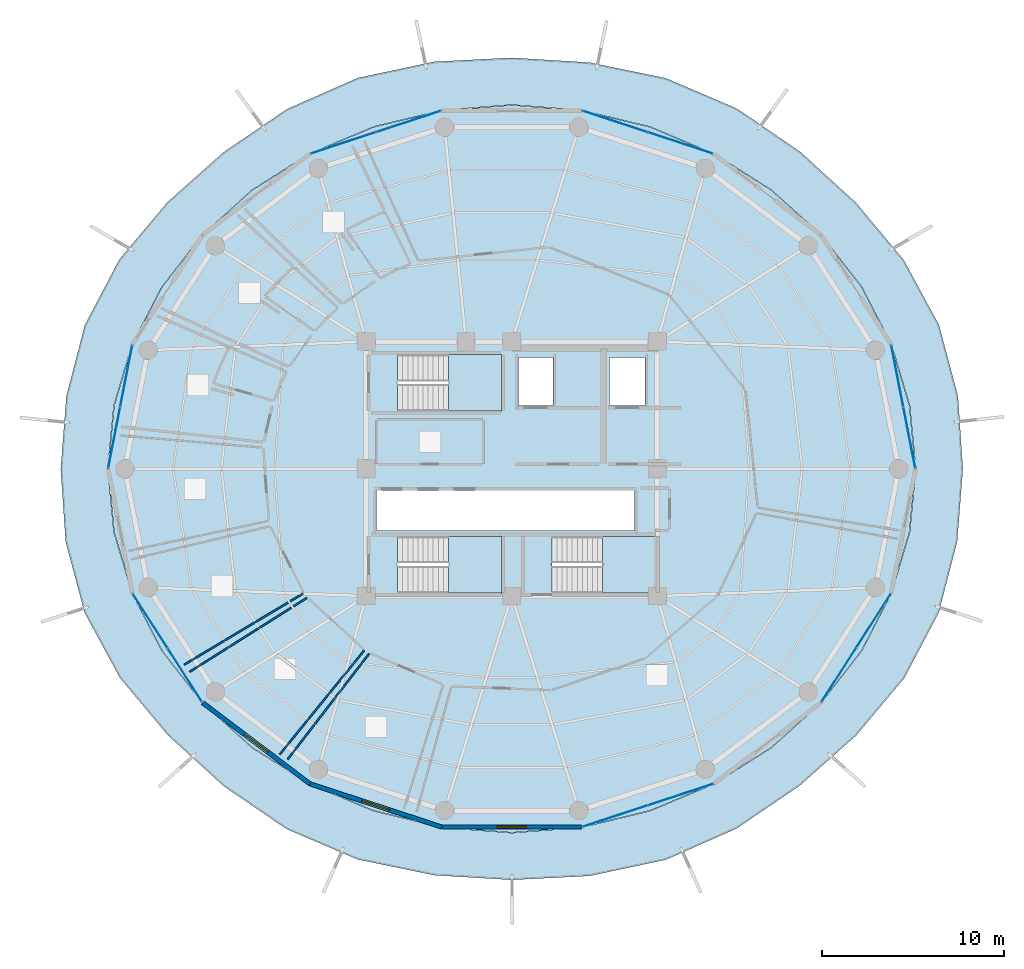
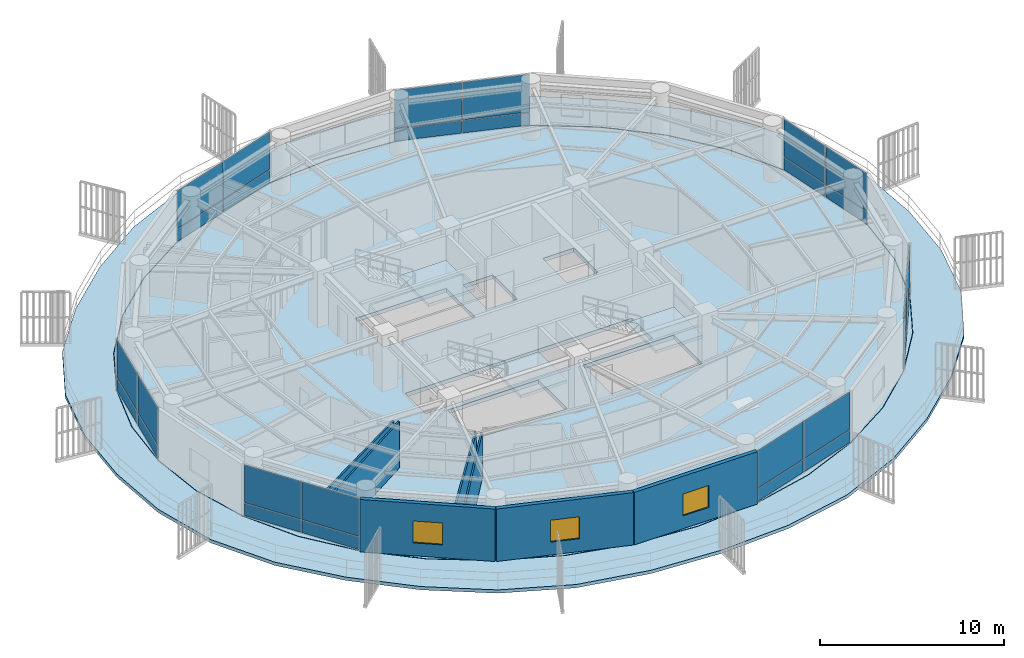
# One storey, part 23 of 31: 28 plates, 7 walls, 5 slabs, 3 windows, 3 openings, 10 elements without a shape of their own.
"""IFC4 building model written with IfcOpenShell, lengths in metres."""

from ifc_helpers import new_model, si_unit, direction, frame, frame_2d, origin, origin_2d, place, context, subcontext, project, spatial, polyline, rectangle, outline, extrude, source, transform, mapped, material, layer, layer_set, type_object, element, fill, aggregate, save


model = new_model("IFC4")

# Units and contexts
model_context = context("Model", 3, precision=1e-05, world=origin(), true_north=direction((0.0, 1.0)))
body_context = subcontext(model_context, "Body", "Model", "MODEL_VIEW")
ifc_project = project(units=[si_unit("LENGTHUNIT", "METRE"), si_unit("AREAUNIT", "SQUARE_METRE"), si_unit("VOLUMEUNIT", "CUBIC_METRE"), si_unit("PLANEANGLEUNIT", "RADIAN"), si_unit("MASSUNIT", "GRAM", prefix="KILO")], contexts=[model_context])

# Site, building, storey
site_placement = place(None, origin())
site = spatial("IfcSite", under=ifc_project, at=site_placement, CompositionType="ELEMENT")
building_placement = place(site_placement, origin())
building = spatial("IfcBuilding", under=site, at=building_placement, Name="Kelanora Arch Commons", CompositionType="ELEMENT")
storey_placement = place(building_placement, frame((0.0, 0.0, 223.199951171875)))
storey = spatial("IfcBuildingStorey", under=building, at=storey_placement, Name="L57", CompositionType="ELEMENT", Elevation=223.199951171875)

# Stair, slab
ifc_material_1 = material(Name="Concrete C40/50", Category="concrete")
stair_type = type_object("IfcStairType", Name="STR-DL-375", PredefinedType="HALF_TURN_STAIR", material=ifc_material_1)
stair_1_placement = place(storey_placement, origin())
stair_1 = element("IfcStair", 1, at=stair_1_placement, inside=storey, type_object=stair_type, Name="L57 ST-T1", PredefinedType="HALF_TURN_STAIR")
ifc_layer_1 = layer(ifc_material_1, 0.199951171875)
ifc_layer_set_1 = layer_set([ifc_layer_1], Name="Concrete C40/50")
slab_type_1 = type_object("IfcSlabType", Name="SLB-STAIR-LND", PredefinedType="LANDING", material=ifc_layer_set_1)
slab_1_placement = place(storey_placement, frame((0.0, 0.0, 1.675048828125)))
slab_1 = element("IfcSlab", 2, at=slab_1_placement, type_object=slab_type_1, Name="ST-T1 landing 1", PredefinedType="LANDING", context=body_context, shape_type="SweptSolid", body=[
    extrude(outline(polyline([(70.52001953125, 61.179931640625), (73.43994140625, 61.179931640625), (73.43994140625, 64.2900390625), (70.52001953125, 64.2900390625), (70.52001953125, 61.179931640625)])), origin(), (0.0, 0.0, 1.0), 0.199951171875),
])
aggregate(stair_1, [slab_1])

stair_2_placement = place(storey_placement, origin())
stair_2 = element("IfcStair", 3, at=stair_2_placement, inside=storey, type_object=stair_type, Name="L57 ST-T2", PredefinedType="HALF_TURN_STAIR")
slab_2_placement = place(storey_placement, frame((0.0, 0.0, 1.675048828125)))
slab_2 = element("IfcSlab", 4, at=slab_2_placement, type_object=slab_type_1, Name="ST-T2 landing 1", PredefinedType="LANDING", context=body_context, shape_type="SweptSolid", body=[
    extrude(outline(polyline([(79.0, 51.179931640625), (81.919921875, 51.179931640625), (81.919921875, 54.2900390625), (79.0, 54.2900390625), (79.0, 51.179931640625)])), origin(), (0.0, 0.0, 1.0), 0.199951171875),
])
aggregate(stair_2, [slab_2])

stair_3_placement = place(storey_placement, origin())
stair_3 = element("IfcStair", 5, at=stair_3_placement, inside=storey, type_object=stair_type, Name="L57 ST-T3", PredefinedType="HALF_TURN_STAIR")
slab_3_placement = place(storey_placement, frame((0.0, 0.0, 1.675048828125)))
slab_3 = element("IfcSlab", 6, at=slab_3_placement, type_object=slab_type_1, Name="ST-T3 landing 1", PredefinedType="LANDING", context=body_context, shape_type="SweptSolid", body=[
    extrude(outline(polyline([(70.52001953125, 51.179931640625), (73.43994140625, 51.179931640625), (73.43994140625, 54.2900390625), (70.52001953125, 54.2900390625), (70.52001953125, 51.179931640625)])), origin(), (0.0, 0.0, 1.0), 0.199951171875),
])
aggregate(stair_3, [slab_3])

# Slabs
ifc_layer_2 = layer(ifc_material_1, 0.260009765625)
ifc_layer_set_2 = layer_set([ifc_layer_2], Name="Concrete C40/50")
slab_type_2 = type_object("IfcSlabType", Name="SLB-TWR-TYP", PredefinedType="FLOOR", material=ifc_layer_set_2)
slab_4_placement = place(storey_placement, frame((0.0, 0.0, -0.260009765625)))
element("IfcSlab", 7, at=slab_4_placement, inside=storey, type_object=slab_type_2, Name="Tower Floor Slab L57", PredefinedType="FLOOR", context=body_context, shape_type="SweptSolid", body=[
    extrude(outline(polyline([(96.199951171875, 58.0), (95.86279296875, 61.472900390625), (94.861083984375, 64.84033203125), (93.225830078125, 68.0), (91.006103515625, 70.855712890625), (88.27001953125, 73.32080078125), (85.10009765625, 75.320556640625), (81.5927734375, 76.7939453125), (77.85498046875, 77.6962890625), (74.0, 78.0), (70.14501953125, 77.6962890625), (66.4072265625, 76.7939453125), (62.89990234375, 75.320556640625), (59.72998046875, 73.32080078125), (56.993896484375, 70.855712890625), (54.774169921875, 68.0), (53.138916015625, 64.84033203125), (52.13720703125, 61.472900390625), (51.800048828125, 58.0), (52.13720703125, 54.527099609375), (53.138916015625, 51.15966796875), (54.774169921875, 48.0), (56.993896484375, 45.144287109375), (59.72998046875, 42.67919921875), (62.89990234375, 40.679443359375), (66.4072265625, 39.2060546875), (70.14501953125, 38.3037109375), (74.0, 38.0), (77.85498046875, 38.3037109375), (81.5927734375, 39.2060546875), (85.10009765625, 40.679443359375), (88.27001953125, 42.67919921875), (91.006103515625, 45.144287109375), (93.225830078125, 48.0), (94.861083984375, 51.15966796875), (95.86279296875, 54.527099609375), (96.199951171875, 58.0)]), holes=[polyline([(73.431884765625, 51.18798828125), (67.72802734375, 51.18798828125), (67.72802734375, 54.281982421875), (73.431884765625, 54.281982421875), (73.431884765625, 51.18798828125)]), polyline([(76.2080078125, 51.18798828125), (76.2080078125, 54.281982421875), (81.912109375, 54.281982421875), (81.912109375, 51.18798828125), (76.2080078125, 51.18798828125)]), polyline([(66.550048828125, 54.60009765625), (66.550048828125, 56.800048828125), (80.75, 56.800048828125), (80.75, 54.60009765625), (66.550048828125, 54.60009765625)]), polyline([(73.431884765625, 61.18798828125), (67.72802734375, 61.18798828125), (67.72802734375, 64.281982421875), (73.431884765625, 64.281982421875), (73.431884765625, 61.18798828125)]), polyline([(74.3798828125, 61.47998046875), (74.3798828125, 64.1201171875), (76.260009765625, 64.1201171875), (76.260009765625, 61.47998046875), (74.3798828125, 61.47998046875)]), polyline([(79.3798828125, 61.47998046875), (79.3798828125, 64.1201171875), (81.320068359375, 64.1201171875), (81.320068359375, 61.47998046875), (79.3798828125, 61.47998046875)])]), origin(), (0.0, 0.0, 1.0), 0.260009765625),
])
ifc_layer_3 = layer(ifc_material_1, 0.219970703125)
ifc_layer_set_3 = layer_set([ifc_layer_3], Name="Concrete C40/50")
slab_type_3 = type_object("IfcSlabType", Name="SLB-WAVE-BAL", PredefinedType="FLOOR", material=ifc_layer_set_3)
slab_5_placement = place(storey_placement, frame((0.0, 0.0, -0.219970703125)))
element("IfcSlab", 8, at=slab_5_placement, inside=storey, type_object=slab_type_3, Name="Sinusoidal Wave Balcony Slab L57", PredefinedType="FLOOR", context=body_context, shape_type="SweptSolid", body=[
    extrude(outline(polyline([(98.80419921875, 58.0), (98.534423828125, 61.995849609375), (97.494873046875, 65.904296875), (95.552490234375, 69.490966796875), (92.92236328125, 72.640380859375), (89.864990234375, 75.430908203125), (86.391845703125, 77.80419921875), (82.473388671875, 79.4794921875), (78.275634765625, 80.34423828125), (74.0, 80.604248046875), (69.718017578125, 80.384765625), (65.522216796875, 79.492919921875), (61.624755859375, 77.772216796875), (58.151123046875, 75.40966796875), (55.05810546875, 72.65869140625), (52.417236328125, 69.510498046875), (50.518310546875, 65.899169921875), (49.505859375, 61.988037109375), (49.19580078125, 58.0), (49.465576171875, 54.004150390625), (50.505126953125, 50.095703125), (52.447509765625, 46.509033203125), (55.07763671875, 43.359619140625), (58.135009765625, 40.569091796875), (61.608154296875, 38.19580078125), (65.526611328125, 36.5205078125), (69.724365234375, 35.65576171875), (74.0, 35.395751953125), (78.281982421875, 35.615234375), (82.477783203125, 36.507080078125), (86.375244140625, 38.227783203125), (89.848876953125, 40.59033203125), (92.94189453125, 43.34130859375), (95.582763671875, 46.489501953125), (97.481689453125, 50.100830078125), (98.494140625, 54.011962890625), (98.80419921875, 58.0)]), holes=[polyline([(95.88232421875, 54.523681640625), (94.8798828125, 51.15283203125), (93.2431640625, 47.989990234375), (91.021484375, 45.13134765625), (88.28271484375, 42.663818359375), (85.110107421875, 40.662109375), (81.599609375, 39.1875), (77.8583984375, 38.2841796875), (74.0, 37.97998046875), (70.1416015625, 38.2841796875), (66.400390625, 39.1875), (62.889892578125, 40.662109375), (59.71728515625, 42.663818359375), (56.978515625, 45.13134765625), (54.7568359375, 47.989990234375), (53.1201171875, 51.15283203125), (52.11767578125, 54.523681640625), (51.780029296875, 58.0), (52.11767578125, 61.476318359375), (53.1201171875, 64.84716796875), (54.7568359375, 68.010009765625), (56.978515625, 70.86865234375), (59.71728515625, 73.336181640625), (62.889892578125, 75.337890625), (66.400390625, 76.8125), (70.1416015625, 77.7158203125), (74.0, 78.02001953125), (77.8583984375, 77.7158203125), (81.599609375, 76.8125), (85.110107421875, 75.337890625), (88.28271484375, 73.336181640625), (91.021484375, 70.86865234375), (93.2431640625, 68.010009765625), (94.8798828125, 64.84716796875), (95.88232421875, 61.476318359375), (96.219970703125, 58.0), (95.88232421875, 54.523681640625)])]), origin(), (0.0, 0.0, 1.0), 0.219970703125),
])

# Curtain wall, plates
ifc_material_2 = material(Name="Terracotta ceramic-fritted low-E glass and aluminium", Category="masonry")
ifc_layer_4 = layer(ifc_material_2, 0.175048828125)
ifc_layer_set_4 = layer_set([ifc_layer_4], Name="Terracotta ceramic-fritted low-E glass and aluminium")
curtain_wall_type = type_object("IfcCurtainWallType", Name="CW-SYS-02", PredefinedType="NOTDEFINED", material=ifc_layer_set_4)
curtain_wall_1_placement = place(storey_placement, origin())
curtain_wall_1 = element("IfcCurtainWall", 9, at=curtain_wall_1_placement, inside=storey, type_object=curtain_wall_type, Name="Unitised Curtain Wall L57-B00", PredefinedType="NOTDEFINED")
ifc_material_3 = material(Name="Terracotta ceramic-fritted double glazing", Category="masonry")
ifc_layer_5 = layer(ifc_material_3, 0.028076171875)
ifc_layer_set_5 = layer_set([ifc_layer_5], Name="Terracotta ceramic-fritted double glazing")
plate_type = type_object("IfcPlateType", Name="CWP-FRIT", PredefinedType="CURTAIN_PANEL", material=ifc_layer_set_5)
shared_shape_1 = source(origin(), body_context, "Body", "SweptSolid", [
    extrude(rectangle(XDim=3.380126953125, YDim=0.028076171875, at=origin_2d()), origin(), (0.0, 0.0, 1.0), 0.81005859375),
])
plate_1_placement = place(storey_placement, frame((95.861083984375, 59.732177734375, 0.06005859375), z_axis=(0.0, 0.0, 1.0), x_axis=(-0.192068926335, 0.981381438349, 0.0)))
plate_1 = element("IfcPlate", 10, at=plate_1_placement, type_object=plate_type, Name="CW-02 panel 1.1", PredefinedType="CURTAIN_PANEL", context=body_context, shape_type="MappedRepresentation", body=[
    mapped(shared_shape_1, transform((0.0, 0.0, 0.0), scale=1.0)),
])
plate_2_placement = place(storey_placement, frame((95.2001953125, 63.108154296875, 0.06005859375), z_axis=(0.0, 0.0, 1.0), x_axis=(-0.192068926335, 0.981381438349, 0.0)))
plate_2 = element("IfcPlate", 11, at=plate_2_placement, type_object=plate_type, Name="CW-02 panel 2.1", PredefinedType="CURTAIN_PANEL", context=body_context, shape_type="MappedRepresentation", body=[
    mapped(shared_shape_1, transform((0.0, 0.0, 0.0), scale=1.0)),
])

curtain_wall_2_placement = place(storey_placement, origin())
curtain_wall_2 = element("IfcCurtainWall", 12, at=curtain_wall_2_placement, inside=storey, type_object=curtain_wall_type, Name="Unitised Curtain Wall L57-B08", PredefinedType="NOTDEFINED")
plate_3_placement = place(storey_placement, frame((52.7998046875, 63.108154296875, 0.06005859375), z_axis=(0.0, 0.0, 1.0), x_axis=(-0.192068926335, -0.981381438349, 0.0)))
plate_3 = element("IfcPlate", 13, at=plate_3_placement, type_object=plate_type, Name="CW-02 panel 1.1", PredefinedType="CURTAIN_PANEL", context=body_context, shape_type="MappedRepresentation", body=[
    mapped(shared_shape_1, transform((0.0, 0.0, 0.0), scale=1.0)),
])
plate_4_placement = place(storey_placement, frame((52.138916015625, 59.732177734375, 0.06005859375), z_axis=(0.0, 0.0, 1.0), x_axis=(-0.192068926335, -0.981381438349, 0.0)))
plate_4 = element("IfcPlate", 14, at=plate_4_placement, type_object=plate_type, Name="CW-02 panel 2.1", PredefinedType="CURTAIN_PANEL", context=body_context, shape_type="MappedRepresentation", body=[
    mapped(shared_shape_1, transform((0.0, 0.0, 0.0), scale=1.0)),
])

# Plate
shared_shape_2 = source(origin(), body_context, "Body", "SweptSolid", [
    extrude(rectangle(XDim=3.380126953125, YDim=0.028076171875, at=origin_2d()), origin(), (0.0, 0.0, 1.0), 2.485107421875),
])
plate_5_placement = place(storey_placement, frame((95.861083984375, 59.732177734375, 0.93017578125), z_axis=(0.0, 0.0, 1.0), x_axis=(-0.192068926335, 0.981381438349, 0.0)))
plate_5 = element("IfcPlate", 15, at=plate_5_placement, type_object=plate_type, Name="CW-02 panel 1.2", PredefinedType="CURTAIN_PANEL", context=body_context, shape_type="MappedRepresentation", body=[
    mapped(shared_shape_2, transform((0.0, 0.0, 0.0), scale=1.0)),
])

plate_6_placement = place(storey_placement, frame((95.2001953125, 63.108154296875, 0.93017578125), z_axis=(0.0, 0.0, 1.0), x_axis=(-0.192068926335, 0.981381438349, 0.0)))
plate_6 = element("IfcPlate", 16, at=plate_6_placement, type_object=plate_type, Name="CW-02 panel 2.2", PredefinedType="CURTAIN_PANEL", context=body_context, shape_type="MappedRepresentation", body=[
    mapped(shared_shape_2, transform((0.0, 0.0, 0.0), scale=1.0)),
])

aggregate(curtain_wall_1, [plate_1, plate_5, plate_2, plate_6])

plate_7_placement = place(storey_placement, frame((52.7998046875, 63.108154296875, 0.93017578125), z_axis=(0.0, 0.0, 1.0), x_axis=(-0.192068926335, -0.981381438349, 0.0)))
plate_7 = element("IfcPlate", 17, at=plate_7_placement, type_object=plate_type, Name="CW-02 panel 1.2", PredefinedType="CURTAIN_PANEL", context=body_context, shape_type="MappedRepresentation", body=[
    mapped(shared_shape_2, transform((0.0, 0.0, 0.0), scale=1.0)),
])

plate_8_placement = place(storey_placement, frame((52.138916015625, 59.732177734375, 0.93017578125), z_axis=(0.0, 0.0, 1.0), x_axis=(-0.192068926335, -0.981381438349, 0.0)))
plate_8 = element("IfcPlate", 18, at=plate_8_placement, type_object=plate_type, Name="CW-02 panel 2.2", PredefinedType="CURTAIN_PANEL", context=body_context, shape_type="MappedRepresentation", body=[
    mapped(shared_shape_2, transform((0.0, 0.0, 0.0), scale=1.0)),
])

aggregate(curtain_wall_2, [plate_3, plate_7, plate_4, plate_8])

# Curtain wall, plates
curtain_wall_3_placement = place(storey_placement, origin())
curtain_wall_3 = element("IfcCurtainWall", 19, at=curtain_wall_3_placement, inside=storey, type_object=curtain_wall_type, Name="Unitised Curtain Wall L57-B03", PredefinedType="NOTDEFINED")
shared_shape_3 = source(origin(), body_context, "Body", "SweptSolid", [
    extrude(rectangle(XDim=3.707275390625, YDim=0.028076171875, at=origin_2d()), origin(), (0.0, 0.0, 1.0), 0.81005859375),
])
plate_9_placement = place(storey_placement, frame((83.267333984375, 75.92138671875, 0.06005859375), z_axis=(0.0, 0.0, 1.0), x_axis=(-0.950219124029, 0.311582439059, 0.0)))
plate_9 = element("IfcPlate", 20, at=plate_9_placement, type_object=plate_type, Name="CW-02 panel 1.1", PredefinedType="CURTAIN_PANEL", context=body_context, shape_type="MappedRepresentation", body=[
    mapped(shared_shape_3, transform((0.0, 0.0, 0.0), scale=1.0)),
])
plate_10_placement = place(storey_placement, frame((79.687744140625, 77.09521484375, 0.06005859375), z_axis=(0.0, 0.0, 1.0), x_axis=(-0.950219124029, 0.311582439059, 0.0)))
plate_10 = element("IfcPlate", 21, at=plate_10_placement, type_object=plate_type, Name="CW-02 panel 2.1", PredefinedType="CURTAIN_PANEL", context=body_context, shape_type="MappedRepresentation", body=[
    mapped(shared_shape_3, transform((0.0, 0.0, 0.0), scale=1.0)),
])

curtain_wall_4_placement = place(storey_placement, origin())
curtain_wall_4 = element("IfcCurtainWall", 22, at=curtain_wall_4_placement, inside=storey, type_object=curtain_wall_type, Name="Unitised Curtain Wall L57-B05", PredefinedType="NOTDEFINED")
plate_11_placement = place(storey_placement, frame((68.312255859375, 77.09521484375, 0.06005859375), z_axis=(0.0, 0.0, 1.0), x_axis=(-0.950219124029, -0.311582439059, 0.0)))
plate_11 = element("IfcPlate", 23, at=plate_11_placement, type_object=plate_type, Name="CW-02 panel 1.1", PredefinedType="CURTAIN_PANEL", context=body_context, shape_type="MappedRepresentation", body=[
    mapped(shared_shape_3, transform((0.0, 0.0, 0.0), scale=1.0)),
])
plate_12_placement = place(storey_placement, frame((64.732666015625, 75.92138671875, 0.06005859375), z_axis=(0.0, 0.0, 1.0), x_axis=(-0.950219124029, -0.311582439059, 0.0)))
plate_12 = element("IfcPlate", 24, at=plate_12_placement, type_object=plate_type, Name="CW-02 panel 2.1", PredefinedType="CURTAIN_PANEL", context=body_context, shape_type="MappedRepresentation", body=[
    mapped(shared_shape_3, transform((0.0, 0.0, 0.0), scale=1.0)),
])

curtain_wall_5_placement = place(storey_placement, origin())
curtain_wall_5 = element("IfcCurtainWall", 25, at=curtain_wall_5_placement, inside=storey, type_object=curtain_wall_type, Name="Unitised Curtain Wall L57-B14", PredefinedType="NOTDEFINED")
plate_13_placement = place(storey_placement, frame((79.687744140625, 38.90478515625, 0.06005859375), z_axis=(0.0, 0.0, 1.0), x_axis=(0.950219124029, 0.311582439059, 0.0)))
plate_13 = element("IfcPlate", 26, at=plate_13_placement, type_object=plate_type, Name="CW-02 panel 1.1", PredefinedType="CURTAIN_PANEL", context=body_context, shape_type="MappedRepresentation", body=[
    mapped(shared_shape_3, transform((0.0, 0.0, 0.0), scale=1.0)),
])
plate_14_placement = place(storey_placement, frame((83.267333984375, 40.07861328125, 0.06005859375), z_axis=(0.0, 0.0, 1.0), x_axis=(0.950219124029, 0.311582439059, 0.0)))
plate_14 = element("IfcPlate", 27, at=plate_14_placement, type_object=plate_type, Name="CW-02 panel 2.1", PredefinedType="CURTAIN_PANEL", context=body_context, shape_type="MappedRepresentation", body=[
    mapped(shared_shape_3, transform((0.0, 0.0, 0.0), scale=1.0)),
])

# Plate
shared_shape_4 = source(origin(), body_context, "Body", "SweptSolid", [
    extrude(rectangle(XDim=3.707275390625, YDim=0.028076171875, at=origin_2d()), origin(), (0.0, 0.0, 1.0), 2.485107421875),
])
plate_15_placement = place(storey_placement, frame((83.267333984375, 75.92138671875, 0.93017578125), z_axis=(0.0, 0.0, 1.0), x_axis=(-0.950219124029, 0.311582439059, 0.0)))
plate_15 = element("IfcPlate", 28, at=plate_15_placement, type_object=plate_type, Name="CW-02 panel 1.2", PredefinedType="CURTAIN_PANEL", context=body_context, shape_type="MappedRepresentation", body=[
    mapped(shared_shape_4, transform((0.0, 0.0, 0.0), scale=1.0)),
])

plate_16_placement = place(storey_placement, frame((79.687744140625, 77.09521484375, 0.93017578125), z_axis=(0.0, 0.0, 1.0), x_axis=(-0.950219124029, 0.311582439059, 0.0)))
plate_16 = element("IfcPlate", 29, at=plate_16_placement, type_object=plate_type, Name="CW-02 panel 2.2", PredefinedType="CURTAIN_PANEL", context=body_context, shape_type="MappedRepresentation", body=[
    mapped(shared_shape_4, transform((0.0, 0.0, 0.0), scale=1.0)),
])

aggregate(curtain_wall_3, [plate_9, plate_15, plate_10, plate_16])

plate_17_placement = place(storey_placement, frame((68.312255859375, 77.09521484375, 0.93017578125), z_axis=(0.0, 0.0, 1.0), x_axis=(-0.950219124029, -0.311582439059, 0.0)))
plate_17 = element("IfcPlate", 30, at=plate_17_placement, type_object=plate_type, Name="CW-02 panel 1.2", PredefinedType="CURTAIN_PANEL", context=body_context, shape_type="MappedRepresentation", body=[
    mapped(shared_shape_4, transform((0.0, 0.0, 0.0), scale=1.0)),
])

plate_18_placement = place(storey_placement, frame((64.732666015625, 75.92138671875, 0.93017578125), z_axis=(0.0, 0.0, 1.0), x_axis=(-0.950219124029, -0.311582439059, 0.0)))
plate_18 = element("IfcPlate", 31, at=plate_18_placement, type_object=plate_type, Name="CW-02 panel 2.2", PredefinedType="CURTAIN_PANEL", context=body_context, shape_type="MappedRepresentation", body=[
    mapped(shared_shape_4, transform((0.0, 0.0, 0.0), scale=1.0)),
])

aggregate(curtain_wall_4, [plate_11, plate_17, plate_12, plate_18])

plate_19_placement = place(storey_placement, frame((79.687744140625, 38.90478515625, 0.93017578125), z_axis=(0.0, 0.0, 1.0), x_axis=(0.950219124029, 0.311582439059, 0.0)))
plate_19 = element("IfcPlate", 32, at=plate_19_placement, type_object=plate_type, Name="CW-02 panel 1.2", PredefinedType="CURTAIN_PANEL", context=body_context, shape_type="MappedRepresentation", body=[
    mapped(shared_shape_4, transform((0.0, 0.0, 0.0), scale=1.0)),
])

plate_20_placement = place(storey_placement, frame((83.267333984375, 40.07861328125, 0.93017578125), z_axis=(0.0, 0.0, 1.0), x_axis=(0.950219124029, 0.311582439059, 0.0)))
plate_20 = element("IfcPlate", 33, at=plate_20_placement, type_object=plate_type, Name="CW-02 panel 2.2", PredefinedType="CURTAIN_PANEL", context=body_context, shape_type="MappedRepresentation", body=[
    mapped(shared_shape_4, transform((0.0, 0.0, 0.0), scale=1.0)),
])

aggregate(curtain_wall_5, [plate_13, plate_19, plate_14, plate_20])

# Curtain wall, plates
curtain_wall_6_placement = place(storey_placement, origin())
curtain_wall_6 = element("IfcCurtainWall", 34, at=curtain_wall_6_placement, inside=storey, type_object=curtain_wall_type, Name="Unitised Curtain Wall L57-B10", PredefinedType="NOTDEFINED")
shared_shape_5 = source(origin(), body_context, "Body", "SweptSolid", [
    extrude(rectangle(XDim=3.46728515625, YDim=0.028076171875, at=origin_2d()), origin(), (0.0, 0.0, 1.0), 0.81005859375),
])
plate_21_placement = place(storey_placement, frame((54.11474609375, 49.63671875, 0.06005859375), z_axis=(0.0, 0.0, 1.0), x_axis=(0.539559338994, -0.84194757539, 0.0)))
plate_21 = element("IfcPlate", 35, at=plate_21_placement, type_object=plate_type, Name="CW-02 panel 1.1", PredefinedType="CURTAIN_PANEL", context=body_context, shape_type="MappedRepresentation", body=[
    mapped(shared_shape_5, transform((0.0, 0.0, 0.0), scale=1.0)),
])
plate_22_placement = place(storey_placement, frame((56.017822265625, 46.6669921875, 0.06005859375), z_axis=(0.0, 0.0, 1.0), x_axis=(0.539559338994, -0.84194757539, 0.0)))
plate_22 = element("IfcPlate", 36, at=plate_22_placement, type_object=plate_type, Name="CW-02 panel 2.1", PredefinedType="CURTAIN_PANEL", context=body_context, shape_type="MappedRepresentation", body=[
    mapped(shared_shape_5, transform((0.0, 0.0, 0.0), scale=1.0)),
])

curtain_wall_7_placement = place(storey_placement, origin())
curtain_wall_7 = element("IfcCurtainWall", 37, at=curtain_wall_7_placement, inside=storey, type_object=curtain_wall_type, Name="Unitised Curtain Wall L57-B16", PredefinedType="NOTDEFINED")
plate_23_placement = place(storey_placement, frame((91.982177734375, 46.6669921875, 0.06005859375), z_axis=(0.0, 0.0, 1.0), x_axis=(0.539559338994, 0.84194757539, 0.0)))
plate_23 = element("IfcPlate", 38, at=plate_23_placement, type_object=plate_type, Name="CW-02 panel 1.1", PredefinedType="CURTAIN_PANEL", context=body_context, shape_type="MappedRepresentation", body=[
    mapped(shared_shape_5, transform((0.0, 0.0, 0.0), scale=1.0)),
])
plate_24_placement = place(storey_placement, frame((93.88525390625, 49.63671875, 0.06005859375), z_axis=(0.0, 0.0, 1.0), x_axis=(0.539559338994, 0.84194757539, 0.0)))
plate_24 = element("IfcPlate", 39, at=plate_24_placement, type_object=plate_type, Name="CW-02 panel 2.1", PredefinedType="CURTAIN_PANEL", context=body_context, shape_type="MappedRepresentation", body=[
    mapped(shared_shape_5, transform((0.0, 0.0, 0.0), scale=1.0)),
])

# Plate
shared_shape_6 = source(origin(), body_context, "Body", "SweptSolid", [
    extrude(rectangle(XDim=3.46728515625, YDim=0.028076171875, at=origin_2d()), origin(), (0.0, 0.0, 1.0), 2.485107421875),
])
plate_25_placement = place(storey_placement, frame((54.11474609375, 49.63671875, 0.93017578125), z_axis=(0.0, 0.0, 1.0), x_axis=(0.539559338994, -0.84194757539, 0.0)))
plate_25 = element("IfcPlate", 40, at=plate_25_placement, type_object=plate_type, Name="CW-02 panel 1.2", PredefinedType="CURTAIN_PANEL", context=body_context, shape_type="MappedRepresentation", body=[
    mapped(shared_shape_6, transform((0.0, 0.0, 0.0), scale=1.0)),
])

plate_26_placement = place(storey_placement, frame((56.017822265625, 46.6669921875, 0.93017578125), z_axis=(0.0, 0.0, 1.0), x_axis=(0.539559338994, -0.84194757539, 0.0)))
plate_26 = element("IfcPlate", 41, at=plate_26_placement, type_object=plate_type, Name="CW-02 panel 2.2", PredefinedType="CURTAIN_PANEL", context=body_context, shape_type="MappedRepresentation", body=[
    mapped(shared_shape_6, transform((0.0, 0.0, 0.0), scale=1.0)),
])

aggregate(curtain_wall_6, [plate_21, plate_25, plate_22, plate_26])

plate_27_placement = place(storey_placement, frame((91.982177734375, 46.6669921875, 0.93017578125), z_axis=(0.0, 0.0, 1.0), x_axis=(0.539559338994, 0.84194757539, 0.0)))
plate_27 = element("IfcPlate", 42, at=plate_27_placement, type_object=plate_type, Name="CW-02 panel 1.2", PredefinedType="CURTAIN_PANEL", context=body_context, shape_type="MappedRepresentation", body=[
    mapped(shared_shape_6, transform((0.0, 0.0, 0.0), scale=1.0)),
])

plate_28_placement = place(storey_placement, frame((93.88525390625, 49.63671875, 0.93017578125), z_axis=(0.0, 0.0, 1.0), x_axis=(0.539559338994, 0.84194757539, 0.0)))
plate_28 = element("IfcPlate", 43, at=plate_28_placement, type_object=plate_type, Name="CW-02 panel 2.2", PredefinedType="CURTAIN_PANEL", context=body_context, shape_type="MappedRepresentation", body=[
    mapped(shared_shape_6, transform((0.0, 0.0, 0.0), scale=1.0)),
])

aggregate(curtain_wall_7, [plate_23, plate_27, plate_24, plate_28])

# Wall, opening, window
ifc_material_4 = material(Name="Precast concrete C40/50 upper-zone terracotta rainscreen", Category="masonry")
ifc_layer_6 = layer(ifc_material_4, 0.239990234375)
ifc_layer_set_6 = layer_set([ifc_layer_6], Name="Precast concrete C40/50 upper-zone terracotta rainscreen")
wall_type_1 = type_object("IfcWallType", Name="W-EXT-TC2", PredefinedType="SOLIDWALL", material=ifc_layer_set_6)
wall_1_placement = place(storey_placement, frame((57.005859375, 45.13525390625, 0.0), z_axis=(0.0, 0.0, 1.0), x_axis=(0.797701674595, -0.603052268338, 0.0)))
wall_1 = element("IfcWall", 44, at=wall_1_placement, inside=storey, type_object=wall_type_1, Name="Terracotta Exterior Wall L57-B11", PredefinedType="SOLIDWALL", context=body_context, shape_type="SweptSolid", body=[
    extrude(rectangle(XDim=7.373779296875, YDim=0.239990234375, at=frame_2d((3.68701171875, 0.0))), origin(), (0.0, 0.0, 1.0), 3.47509765625),
])
opening_1_placement = place(wall_1_placement, frame((2.886962890625, 0.0, 0.85009765625)))
opening_1 = element("IfcOpeningElement", 45, at=opening_1_placement, cuts=wall_1, Name="Opening WN-01", PredefinedType="OPENING", context=body_context, shape_type="SweptSolid", body=[
    extrude(rectangle(XDim=1.60009765625, YDim=1.449951171875, at=frame_2d((0.800048828125, 0.72509765625))), frame((0.0, 0.1298828125, 0.0), z_axis=(0.0, -1.0, 0.0), x_axis=(1.0, 0.0, 0.0)), (0.0, 0.0, 1.0), 0.260009765625),
])
ifc_material_5 = material(Name="Terracotta-anodised aluminium frame with operable low-E glazing", Category="masonry")
window_type = type_object("IfcWindowType", Name="WIN-CL-18", PartitioningType="DOUBLE_PANEL_VERTICAL", PredefinedType="WINDOW", material=ifc_material_5)
window_1_placement = place(opening_1_placement, origin())
window_1 = element("IfcWindow", 46, at=window_1_placement, inside=storey, type_object=window_type, Name="Co-Living Operable Window L57-B11", OverallHeight=1.449951171875, OverallWidth=1.60009765625, PartitioningType="SINGLE_PANEL", PredefinedType="WINDOW", context=body_context, shape_type="SweptSolid", body=[
    extrude(rectangle(XDim=1.60009765625, YDim=1.449951171875, at=frame_2d((0.800048828125, 0.72509765625))), frame((0.0, 0.030029296875, 0.0), z_axis=(0.0, -1.0, 0.0), x_axis=(1.0, 0.0, 0.0)), (0.0, 0.0, 1.0), 0.06005859375),
])
fill(opening_1, window_1)

wall_2_placement = place(storey_placement, frame((62.914306640625, 40.6748046875, 0.0), z_axis=(0.0, 0.0, 1.0), x_axis=(0.95022142767, -0.31157541366, 0.0)))
wall_2 = element("IfcWall", 47, at=wall_2_placement, inside=storey, type_object=wall_type_1, Name="Terracotta Exterior Wall L57-B12", PredefinedType="SOLIDWALL", context=body_context, shape_type="SweptSolid", body=[
    extrude(rectangle(XDim=7.59423828125, YDim=0.239990234375, at=frame_2d((3.797119140625, 0.0))), origin(), (0.0, 0.0, 1.0), 3.47509765625),
])
opening_2_placement = place(wall_2_placement, frame((2.9970703125, 0.0, 0.85009765625)))
opening_2 = element("IfcOpeningElement", 48, at=opening_2_placement, cuts=wall_2, Name="Opening WN-01", PredefinedType="OPENING", context=body_context, shape_type="SweptSolid", body=[
    extrude(rectangle(XDim=1.60009765625, YDim=1.449951171875, at=frame_2d((0.800048828125, 0.72509765625))), frame((0.0, 0.1298828125, 0.0), z_axis=(0.0, -1.0, 0.0), x_axis=(1.0, 0.0, 0.0)), (0.0, 0.0, 1.0), 0.260009765625),
])
window_2_placement = place(opening_2_placement, origin())
window_2 = element("IfcWindow", 49, at=window_2_placement, inside=storey, type_object=window_type, Name="Co-Living Operable Window L57-B12", OverallHeight=1.449951171875, OverallWidth=1.60009765625, PartitioningType="SINGLE_PANEL", PredefinedType="WINDOW", context=body_context, shape_type="SweptSolid", body=[
    extrude(rectangle(XDim=1.60009765625, YDim=1.449951171875, at=frame_2d((0.800048828125, 0.72509765625))), frame((0.0, 0.030029296875, 0.0), z_axis=(0.0, -1.0, 0.0), x_axis=(1.0, 0.0, 0.0)), (0.0, 0.0, 1.0), 0.06005859375),
])
fill(opening_2, window_2)

wall_3_placement = place(storey_placement, frame((70.159912109375, 38.3037109375, 0.0), z_axis=(0.0, 0.0, 1.0), x_axis=(1.0, 0.0, 0.0)))
wall_3 = element("IfcWall", 50, at=wall_3_placement, inside=storey, type_object=wall_type_1, Name="Terracotta Exterior Wall L57-B13", PredefinedType="SOLIDWALL", context=body_context, shape_type="SweptSolid", body=[
    extrude(rectangle(XDim=7.68017578125, YDim=0.239990234375, at=frame_2d((3.840087890625, 0.0))), origin(), (0.0, 0.0, 1.0), 3.47509765625),
])
opening_3_placement = place(wall_3_placement, frame((3.0400390625, 0.0, 0.85009765625)))
opening_3 = element("IfcOpeningElement", 51, at=opening_3_placement, cuts=wall_3, Name="Opening WN-01", PredefinedType="OPENING", context=body_context, shape_type="SweptSolid", body=[
    extrude(rectangle(XDim=1.60009765625, YDim=1.449951171875, at=frame_2d((0.800048828125, 0.72509765625))), frame((0.0, 0.1298828125, 0.0), z_axis=(0.0, -1.0, 0.0), x_axis=(1.0, 0.0, 0.0)), (0.0, 0.0, 1.0), 0.260009765625),
])
window_3_placement = place(opening_3_placement, origin())
window_3 = element("IfcWindow", 52, at=window_3_placement, inside=storey, type_object=window_type, Name="Co-Living Operable Window L57-B13", OverallHeight=1.449951171875, OverallWidth=1.60009765625, PartitioningType="SINGLE_PANEL", PredefinedType="WINDOW", context=body_context, shape_type="SweptSolid", body=[
    extrude(rectangle(XDim=1.60009765625, YDim=1.449951171875, at=frame_2d((0.800048828125, 0.72509765625))), frame((0.0, 0.030029296875, 0.0), z_axis=(0.0, -1.0, 0.0), x_axis=(1.0, 0.0, 0.0)), (0.0, 0.0, 1.0), 0.06005859375),
])
fill(opening_3, window_3)

# Walls
ifc_material_6 = material(Name="Lightweight fire-rated acoustic stud partition")
ifc_layer_7 = layer(ifc_material_6, 0.10009765625)
ifc_layer_set_7 = layer_set([ifc_layer_7], Name="Lightweight fire-rated acoustic stud partition")
wall_type_2 = type_object("IfcWallType", Name="W-PART-100", PredefinedType="PARTITIONING", material=ifc_layer_set_7)
wall_4_placement = place(storey_placement, frame((62.53564453125, 51.1484375, 0.0), z_axis=(0.0, 0.0, 1.0), x_axis=(-0.858084969996, -0.513507725615, 0.0)))
element("IfcWall", 53, at=wall_4_placement, inside=storey, type_object=wall_type_2, Name="Social Sky Lounge L57-05 Enclosure Partition 2", PredefinedType="PARTITIONING", context=body_context, shape_type="SweptSolid", body=[
    extrude(rectangle(XDim=7.633544921875, YDim=0.10009765625, at=frame_2d((3.81689453125, 0.0))), origin(), (0.0, 0.0, 1.0), 3.025146484375),
])
wall_5_placement = place(storey_placement, frame((65.8798828125, 48.010009765625, 0.0), z_axis=(0.0, 0.0, 1.0), x_axis=(-0.630262810813, -0.776381857919, 0.0)))
element("IfcWall", 54, at=wall_5_placement, inside=storey, type_object=wall_type_2, Name="Quiet Seminar Study Room L57-06 Enclosure Partition 2", PredefinedType="PARTITIONING", context=body_context, shape_type="SweptSolid", body=[
    extrude(rectangle(XDim=7.3583984375, YDim=0.10009765625, at=frame_2d((3.67919921875, 0.0))), origin(), (0.0, 0.0, 1.0), 3.025146484375),
])
wall_6_placement = place(storey_placement, frame((56.28369140625, 46.836181640625, 0.0), z_axis=(0.0, 0.0, 1.0), x_axis=(0.84583000996, 0.533452522959, 0.0)))
element("IfcWall", 55, at=wall_6_placement, inside=storey, type_object=wall_type_2, Name="Quiet Seminar Study Room L57-06 Enclosure Partition 4", PredefinedType="PARTITIONING", context=body_context, shape_type="SweptSolid", body=[
    extrude(rectangle(XDim=7.615478515625, YDim=0.10009765625, at=frame_2d((3.8076171875, 0.0))), origin(), (0.0, 0.0, 1.0), 3.074951171875),
])
wall_7_placement = place(storey_placement, frame((61.67333984375, 42.021728515625, 0.0), z_axis=(0.0, 0.0, 1.0), x_axis=(0.610486992252, 0.792026282576, 0.0)))
element("IfcWall", 56, at=wall_7_placement, inside=storey, type_object=wall_type_2, Name="Quiet Seminar Study Room L57-07 Enclosure Partition 4", PredefinedType="PARTITIONING", context=body_context, shape_type="SweptSolid", body=[
    extrude(rectangle(XDim=7.3388671875, YDim=0.10009765625, at=frame_2d((3.66943359375, 0.0))), origin(), (0.0, 0.0, 1.0), 3.025146484375),
])

save(model, "model.ifc")
